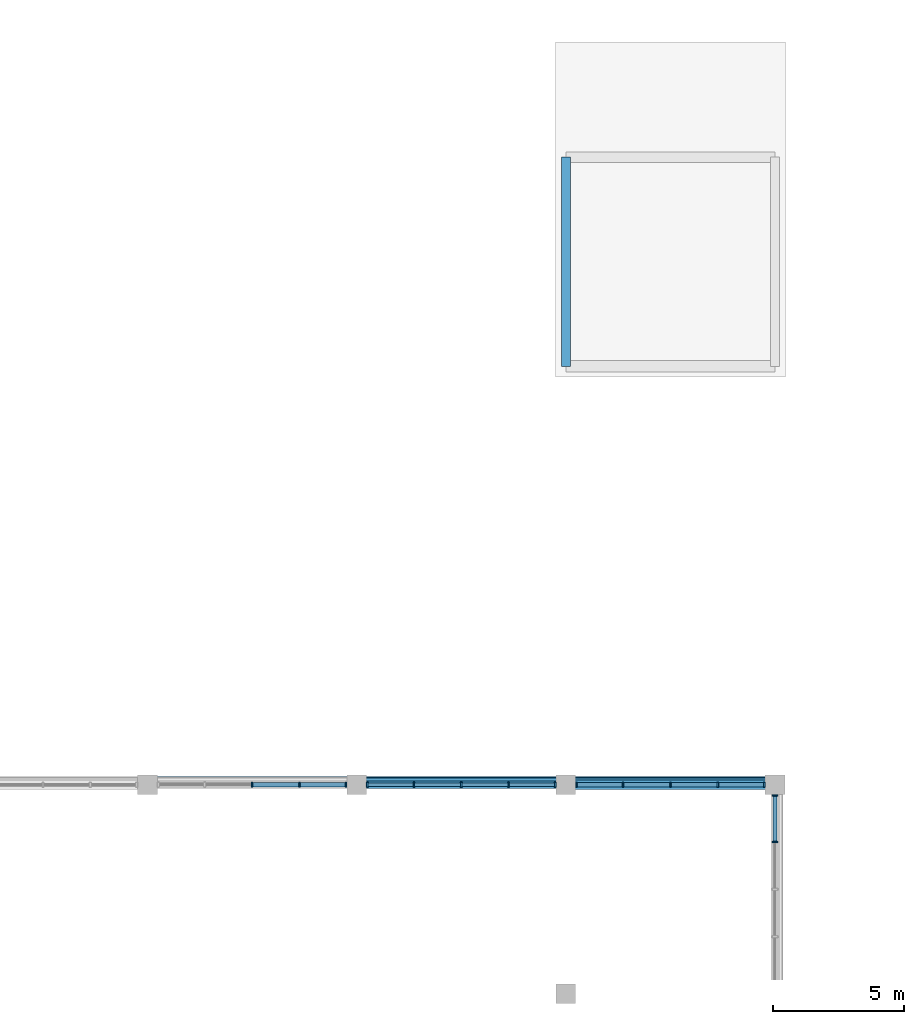
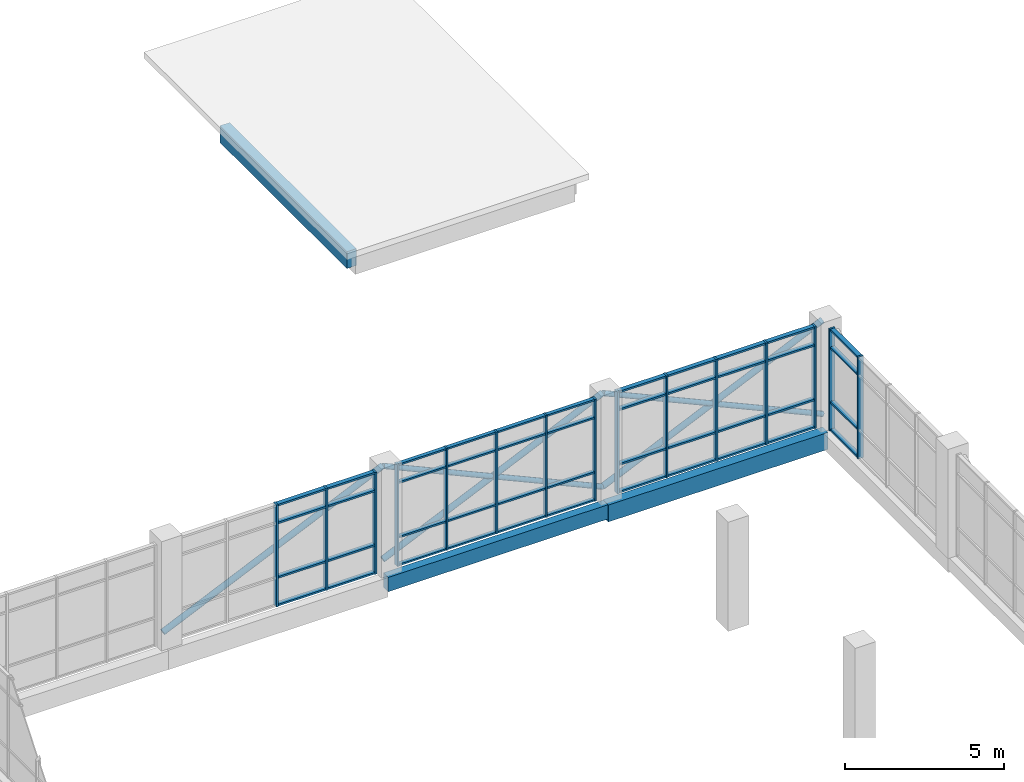
# One storey, part 37 of 72: 64 members, 3 beams, 4 elements without a shape of their own.
"""IFC4 building model written with IfcOpenShell, lengths in metres."""

from ifc_helpers import new_model, si_unit, direction, frame, origin, origin_2d, place, context, subcontext, project, spatial, rectangle, hollow_circle, extrude, material, material_profile, profile_set, type_object, element, aggregate, save


model = new_model("IFC4")

# Units and contexts
model_context = context("Model", 3, precision=1e-05, world=origin(), true_north=direction((0.0, 1.0)))
body_context = subcontext(model_context, "Body", "Model", "MODEL_VIEW")
ifc_project = project(units=[si_unit("LENGTHUNIT", "METRE"), si_unit("AREAUNIT", "SQUARE_METRE"), si_unit("VOLUMEUNIT", "CUBIC_METRE"), si_unit("PLANEANGLEUNIT", "RADIAN"), si_unit("MASSUNIT", "GRAM", prefix="KILO")], contexts=[model_context])

# Site, building, storey
site_placement = place(None, origin())
site = spatial("IfcSite", under=ifc_project, at=site_placement, CompositionType="ELEMENT")
building_placement = place(site_placement, origin())
building = spatial("IfcBuilding", under=site, at=building_placement, Name="Tenunan Teduh Sports Hall", CompositionType="ELEMENT")
storey_placement = place(building_placement, frame((0.0, 0.0, 15.0)))
storey = spatial("IfcBuildingStorey", under=building, at=storey_placement, Name="L03", CompositionType="ELEMENT", Elevation=15.0)

# Beams
ifc_material_1 = material(Name="Concrete C40/50", Category="concrete")
ifc_material_profile_1 = material_profile(ifc_material_1, rectangle(XDim=0.300048828125, YDim=0.550048828125, at=origin_2d()), Name="RCB 300x550")
ifc_profile_set_1 = profile_set([ifc_material_profile_1], Name="Concrete C40/50")
beam_type_1 = type_object("IfcBeamType", Name="BM-RC-300x550", PredefinedType="BEAM", material=ifc_profile_set_1)
beam_placement = place(storey_placement, frame((138.0, 78.0, -0.514892578125), z_axis=(1.0, 0.0, 0.0), x_axis=(0.0, 1.0, 0.0)))
element("IfcBeam", 1, at=beam_placement, inside=storey, type_object=beam_type_1, Name="BM-B-02-L03-1832", PredefinedType="BEAM", context=body_context, shape_type="SweptSolid", body=[
    extrude(rectangle(XDim=0.300048828125, YDim=0.550048828125, at=origin_2d()), origin(), (0.0, 0.0, 1.0), 8.0),
])
ifc_material_2 = material(Name="Concrete C40/50", Category="concrete")
ifc_material_profile_2 = material_profile(ifc_material_2, rectangle(XDim=0.35009765625, YDim=0.64990234375, at=origin_2d()), Name="RCB 350x650")
ifc_profile_set_2 = profile_set([ifc_material_profile_2], Name="Concrete C40/50")
beam_type_2 = type_object("IfcBeamType", Name="BM-RC-350x650", PredefinedType="BEAM", material=ifc_profile_set_2)
for number, where, z_axis, x_axis, name in (
    (2, (146.0, 78.0, -0.56494140625), (1.0, 0.0, 0.0), (0.0, 1.0, 0.0), "BM-B-05-L03-1833"),
    (3, (146.0, 94.0, -0.56494140625), (0.0, 1.0, 0.0), (-1.0, 0.0, 0.0), "BM-B-05-L03-1940"),
):
    element("IfcBeam", number, at=place(storey_placement, frame(where, z_axis=z_axis, x_axis=x_axis)), inside=storey, type_object=beam_type_2, Name=name, PredefinedType="BEAM", context=body_context, shape_type="SweptSolid", body=[
        extrude(rectangle(XDim=0.35009765625, YDim=0.64990234375, at=origin_2d()), origin(), (0.0, 0.0, 1.0), 8.0),
    ])

# Curtain wall, members
ifc_material_3 = material(Name="Anodised aluminium", Category="aluminium")
curtain_wall_type = type_object("IfcCurtainWallType", Name="CW-UNIT-2", PredefinedType="NOTDEFINED", material=ifc_material_3)
curtain_wall_1_placement = place(storey_placement, origin())
curtain_wall_1 = element("IfcCurtainWall", 4, at=curtain_wall_1_placement, inside=storey, type_object=curtain_wall_type, Name="CW-CWM-175-L03-142", PredefinedType="NOTDEFINED")
ifc_material_4 = material(Name="Anodised aluminium", Category="aluminium")
ifc_material_profile_3 = material_profile(ifc_material_4, rectangle(XDim=0.06494140625, YDim=0.175048828125, at=origin_2d()), Name="CWM 65x175")
ifc_profile_set_3 = profile_set([ifc_material_profile_3], Name="Anodised aluminium")
member_type_1 = type_object("IfcMemberType", Name="CWM-175", PredefinedType="MULLION", material=ifc_profile_set_3)
member_1_placement = place(storey_placement, frame((138.407470703125, 78.0, 0.0), z_axis=(0.0, 0.0, 1.0), x_axis=(1.0, 0.0, 0.0)))
member_1 = element("IfcMember", 5, at=member_1_placement, type_object=member_type_1, Name="CW-02 mullion 1", PredefinedType="MULLION", context=body_context, shape_type="SweptSolid", body=[
    extrude(rectangle(XDim=0.06494140625, YDim=0.175048828125, at=origin_2d()), origin(), (0.0, 0.0, 1.0), 3.919921875),
])
member_2_placement = place(storey_placement, frame((140.1875, 78.0, 0.0), z_axis=(0.0, 0.0, 1.0), x_axis=(1.0, 0.0, 0.0)))
member_2 = element("IfcMember", 6, at=member_2_placement, type_object=member_type_1, Name="CW-02 mullion 2", PredefinedType="MULLION", context=body_context, shape_type="SweptSolid", body=[
    extrude(rectangle(XDim=0.06494140625, YDim=0.175048828125, at=origin_2d()), origin(), (0.0, 0.0, 1.0), 3.919921875),
])
member_3_placement = place(storey_placement, frame((142.0, 78.0, 0.0), z_axis=(0.0, 0.0, 1.0), x_axis=(1.0, 0.0, 0.0)))
member_3 = element("IfcMember", 7, at=member_3_placement, type_object=member_type_1, Name="CW-02 mullion 3", PredefinedType="MULLION", context=body_context, shape_type="SweptSolid", body=[
    extrude(rectangle(XDim=0.06494140625, YDim=0.175048828125, at=origin_2d()), origin(), (0.0, 0.0, 1.0), 3.919921875),
])
member_4_placement = place(storey_placement, frame((143.8125, 78.0, 0.0), z_axis=(0.0, 0.0, 1.0), x_axis=(1.0, 0.0, 0.0)))
member_4 = element("IfcMember", 8, at=member_4_placement, type_object=member_type_1, Name="CW-02 mullion 4", PredefinedType="MULLION", context=body_context, shape_type="SweptSolid", body=[
    extrude(rectangle(XDim=0.06494140625, YDim=0.175048828125, at=origin_2d()), origin(), (0.0, 0.0, 1.0), 3.919921875),
])
member_5_placement = place(storey_placement, frame((145.592529296875, 78.0, 0.0), z_axis=(0.0, 0.0, 1.0), x_axis=(1.0, 0.0, 0.0)))
member_5 = element("IfcMember", 9, at=member_5_placement, type_object=member_type_1, Name="CW-02 mullion 5", PredefinedType="MULLION", context=body_context, shape_type="SweptSolid", body=[
    extrude(rectangle(XDim=0.06494140625, YDim=0.175048828125, at=origin_2d()), origin(), (0.0, 0.0, 1.0), 3.919921875),
])

curtain_wall_2_placement = place(storey_placement, origin())
curtain_wall_2 = element("IfcCurtainWall", 10, at=curtain_wall_2_placement, inside=storey, type_object=curtain_wall_type, Name="CW-CWM-200-L03-140", PredefinedType="NOTDEFINED")
ifc_material_5 = material(Name="Anodised aluminium", Category="aluminium")
ifc_material_profile_4 = material_profile(ifc_material_5, rectangle(XDim=0.070068359375, YDim=0.199951171875, at=origin_2d()), Name="CWM 70x200")
ifc_profile_set_4 = profile_set([ifc_material_profile_4], Name="Anodised aluminium")
member_type_2 = type_object("IfcMemberType", Name="CWM-200", PredefinedType="MULLION", material=ifc_profile_set_4)
member_6_placement = place(storey_placement, frame((134.0, 78.0, 0.0), z_axis=(0.0, 0.0, 1.0), x_axis=(1.0, 0.0, 0.0)))
member_6 = element("IfcMember", 11, at=member_6_placement, type_object=member_type_2, Name="CW-02 mullion 3", PredefinedType="MULLION", context=body_context, shape_type="SweptSolid", body=[
    extrude(rectangle(XDim=0.070068359375, YDim=0.199951171875, at=origin_2d()), origin(), (0.0, 0.0, 1.0), 3.919921875),
])
member_7_placement = place(storey_placement, frame((135.8125, 78.0, 0.0), z_axis=(0.0, 0.0, 1.0), x_axis=(1.0, 0.0, 0.0)))
member_7 = element("IfcMember", 12, at=member_7_placement, type_object=member_type_2, Name="CW-02 mullion 4", PredefinedType="MULLION", context=body_context, shape_type="SweptSolid", body=[
    extrude(rectangle(XDim=0.070068359375, YDim=0.199951171875, at=origin_2d()), origin(), (0.0, 0.0, 1.0), 3.919921875),
])
member_8_placement = place(storey_placement, frame((137.590087890625, 78.0, 0.0), z_axis=(0.0, 0.0, 1.0), x_axis=(1.0, 0.0, 0.0)))
member_8 = element("IfcMember", 13, at=member_8_placement, type_object=member_type_2, Name="CW-02 mullion 5", PredefinedType="MULLION", context=body_context, shape_type="SweptSolid", body=[
    extrude(rectangle(XDim=0.070068359375, YDim=0.199951171875, at=origin_2d()), origin(), (0.0, 0.0, 1.0), 3.919921875),
])

curtain_wall_3_placement = place(storey_placement, origin())
curtain_wall_3 = element("IfcCurtainWall", 14, at=curtain_wall_3_placement, inside=storey, type_object=curtain_wall_type, Name="CW-CWM-200-L03-144", PredefinedType="NOTDEFINED")
member_9_placement = place(storey_placement, frame((146.409912109375, 78.0, 0.0), z_axis=(0.0, 0.0, 1.0), x_axis=(1.0, 0.0, 0.0)))
member_9 = element("IfcMember", 15, at=member_9_placement, type_object=member_type_2, Name="CW-02 mullion 1", PredefinedType="MULLION", context=body_context, shape_type="SweptSolid", body=[
    extrude(rectangle(XDim=0.070068359375, YDim=0.199951171875, at=origin_2d()), origin(), (0.0, 0.0, 1.0), 3.919921875),
])
member_10_placement = place(storey_placement, frame((148.1875, 78.0, 0.0), z_axis=(0.0, 0.0, 1.0), x_axis=(1.0, 0.0, 0.0)))
member_10 = element("IfcMember", 16, at=member_10_placement, type_object=member_type_2, Name="CW-02 mullion 2", PredefinedType="MULLION", context=body_context, shape_type="SweptSolid", body=[
    extrude(rectangle(XDim=0.070068359375, YDim=0.199951171875, at=origin_2d()), origin(), (0.0, 0.0, 1.0), 3.919921875),
])
member_11_placement = place(storey_placement, frame((150.0, 78.0, 0.0), z_axis=(0.0, 0.0, 1.0), x_axis=(1.0, 0.0, 0.0)))
member_11 = element("IfcMember", 17, at=member_11_placement, type_object=member_type_2, Name="CW-02 mullion 3", PredefinedType="MULLION", context=body_context, shape_type="SweptSolid", body=[
    extrude(rectangle(XDim=0.070068359375, YDim=0.199951171875, at=origin_2d()), origin(), (0.0, 0.0, 1.0), 3.919921875),
])
member_12_placement = place(storey_placement, frame((151.8125, 78.0, 0.0), z_axis=(0.0, 0.0, 1.0), x_axis=(1.0, 0.0, 0.0)))
member_12 = element("IfcMember", 18, at=member_12_placement, type_object=member_type_2, Name="CW-02 mullion 4", PredefinedType="MULLION", context=body_context, shape_type="SweptSolid", body=[
    extrude(rectangle(XDim=0.070068359375, YDim=0.199951171875, at=origin_2d()), origin(), (0.0, 0.0, 1.0), 3.919921875),
])
member_13_placement = place(storey_placement, frame((153.590087890625, 78.0, 0.0), z_axis=(0.0, 0.0, 1.0), x_axis=(1.0, 0.0, 0.0)))
member_13 = element("IfcMember", 19, at=member_13_placement, type_object=member_type_2, Name="CW-02 mullion 5", PredefinedType="MULLION", context=body_context, shape_type="SweptSolid", body=[
    extrude(rectangle(XDim=0.070068359375, YDim=0.199951171875, at=origin_2d()), origin(), (0.0, 0.0, 1.0), 3.919921875),
])

curtain_wall_4_placement = place(storey_placement, origin())
curtain_wall_4 = element("IfcCurtainWall", 20, at=curtain_wall_4_placement, inside=storey, type_object=curtain_wall_type, Name="CW-CWM-200-L03-152", PredefinedType="NOTDEFINED")
member_14_placement = place(storey_placement, frame((154.0, 75.8125, 0.0), z_axis=(0.0, 0.0, 1.0), x_axis=(0.0, 1.0, 0.0)))
member_14 = element("IfcMember", 21, at=member_14_placement, type_object=member_type_2, Name="CW-02 mullion 4", PredefinedType="MULLION", context=body_context, shape_type="SweptSolid", body=[
    extrude(rectangle(XDim=0.070068359375, YDim=0.199951171875, at=origin_2d()), origin(), (0.0, 0.0, 1.0), 3.919921875),
])
member_15_placement = place(storey_placement, frame((154.0, 77.590087890625, 0.0), z_axis=(0.0, 0.0, 1.0), x_axis=(0.0, 1.0, 0.0)))
member_15 = element("IfcMember", 22, at=member_15_placement, type_object=member_type_2, Name="CW-02 mullion 5", PredefinedType="MULLION", context=body_context, shape_type="SweptSolid", body=[
    extrude(rectangle(XDim=0.070068359375, YDim=0.199951171875, at=origin_2d()), origin(), (0.0, 0.0, 1.0), 3.919921875),
])

# Member
ifc_material_6 = material(Name="Anodised aluminium", Category="aluminium")
ifc_material_profile_5 = material_profile(ifc_material_6, rectangle(XDim=0.06494140625, YDim=0.139892578125, at=origin_2d()), Name="CWT 65x140")
ifc_profile_set_5 = profile_set([ifc_material_profile_5], Name="Anodised aluminium")
member_type_3 = type_object("IfcMemberType", Name="CWT-150", PredefinedType="USERDEFINED", material=ifc_profile_set_5)
member_16_placement = place(storey_placement, frame((138.43994140625, 78.0, 0.032470703125), z_axis=(1.0, 0.0, 0.0), x_axis=(0.0, 0.0, 1.0)))
member_16 = element("IfcMember", 23, at=member_16_placement, type_object=member_type_3, Name="CW-02 transom 1.1", ObjectType="TRANSOM", PredefinedType="USERDEFINED", context=body_context, shape_type="SweptSolid", body=[
    extrude(rectangle(XDim=0.06494140625, YDim=0.139892578125, at=origin_2d()), origin(), (0.0, 0.0, 1.0), 1.715087890625),
])

member_17_placement = place(storey_placement, frame((138.43994140625, 78.0, 1.10009765625), z_axis=(1.0, 0.0, 0.0), x_axis=(0.0, 0.0, 1.0)))
member_17 = element("IfcMember", 24, at=member_17_placement, type_object=member_type_3, Name="CW-02 transom 1.2", ObjectType="TRANSOM", PredefinedType="USERDEFINED", context=body_context, shape_type="SweptSolid", body=[
    extrude(rectangle(XDim=0.06494140625, YDim=0.139892578125, at=origin_2d()), origin(), (0.0, 0.0, 1.0), 1.715087890625),
])

member_18_placement = place(storey_placement, frame((138.43994140625, 78.0, 3.199951171875), z_axis=(1.0, 0.0, 0.0), x_axis=(0.0, 0.0, 1.0)))
member_18 = element("IfcMember", 25, at=member_18_placement, type_object=member_type_3, Name="CW-02 transom 1.3", ObjectType="TRANSOM", PredefinedType="USERDEFINED", context=body_context, shape_type="SweptSolid", body=[
    extrude(rectangle(XDim=0.06494140625, YDim=0.139892578125, at=origin_2d()), origin(), (0.0, 0.0, 1.0), 1.715087890625),
])

member_19_placement = place(storey_placement, frame((138.43994140625, 78.0, 3.887451171875), z_axis=(1.0, 0.0, 0.0), x_axis=(0.0, 0.0, 1.0)))
member_19 = element("IfcMember", 26, at=member_19_placement, type_object=member_type_3, Name="CW-02 transom 1.4", ObjectType="TRANSOM", PredefinedType="USERDEFINED", context=body_context, shape_type="SweptSolid", body=[
    extrude(rectangle(XDim=0.06494140625, YDim=0.139892578125, at=origin_2d()), origin(), (0.0, 0.0, 1.0), 1.715087890625),
])

member_20_placement = place(storey_placement, frame((140.219970703125, 78.0, 0.032470703125), z_axis=(1.0, 0.0, 0.0), x_axis=(0.0, 0.0, 1.0)))
member_20 = element("IfcMember", 27, at=member_20_placement, type_object=member_type_3, Name="CW-02 transom 2.1", ObjectType="TRANSOM", PredefinedType="USERDEFINED", context=body_context, shape_type="SweptSolid", body=[
    extrude(rectangle(XDim=0.06494140625, YDim=0.139892578125, at=origin_2d()), origin(), (0.0, 0.0, 1.0), 1.74755859375),
])

member_21_placement = place(storey_placement, frame((140.219970703125, 78.0, 1.10009765625), z_axis=(1.0, 0.0, 0.0), x_axis=(0.0, 0.0, 1.0)))
member_21 = element("IfcMember", 28, at=member_21_placement, type_object=member_type_3, Name="CW-02 transom 2.2", ObjectType="TRANSOM", PredefinedType="USERDEFINED", context=body_context, shape_type="SweptSolid", body=[
    extrude(rectangle(XDim=0.06494140625, YDim=0.139892578125, at=origin_2d()), origin(), (0.0, 0.0, 1.0), 1.74755859375),
])

member_22_placement = place(storey_placement, frame((140.219970703125, 78.0, 3.199951171875), z_axis=(1.0, 0.0, 0.0), x_axis=(0.0, 0.0, 1.0)))
member_22 = element("IfcMember", 29, at=member_22_placement, type_object=member_type_3, Name="CW-02 transom 2.3", ObjectType="TRANSOM", PredefinedType="USERDEFINED", context=body_context, shape_type="SweptSolid", body=[
    extrude(rectangle(XDim=0.06494140625, YDim=0.139892578125, at=origin_2d()), origin(), (0.0, 0.0, 1.0), 1.74755859375),
])

member_23_placement = place(storey_placement, frame((140.219970703125, 78.0, 3.887451171875), z_axis=(1.0, 0.0, 0.0), x_axis=(0.0, 0.0, 1.0)))
member_23 = element("IfcMember", 30, at=member_23_placement, type_object=member_type_3, Name="CW-02 transom 2.4", ObjectType="TRANSOM", PredefinedType="USERDEFINED", context=body_context, shape_type="SweptSolid", body=[
    extrude(rectangle(XDim=0.06494140625, YDim=0.139892578125, at=origin_2d()), origin(), (0.0, 0.0, 1.0), 1.74755859375),
])

member_24_placement = place(storey_placement, frame((142.032470703125, 78.0, 0.032470703125), z_axis=(1.0, 0.0, 0.0), x_axis=(0.0, 0.0, 1.0)))
member_24 = element("IfcMember", 31, at=member_24_placement, type_object=member_type_3, Name="CW-02 transom 3.1", ObjectType="TRANSOM", PredefinedType="USERDEFINED", context=body_context, shape_type="SweptSolid", body=[
    extrude(rectangle(XDim=0.06494140625, YDim=0.139892578125, at=origin_2d()), origin(), (0.0, 0.0, 1.0), 1.74755859375),
])

member_25_placement = place(storey_placement, frame((142.032470703125, 78.0, 1.10009765625), z_axis=(1.0, 0.0, 0.0), x_axis=(0.0, 0.0, 1.0)))
member_25 = element("IfcMember", 32, at=member_25_placement, type_object=member_type_3, Name="CW-02 transom 3.2", ObjectType="TRANSOM", PredefinedType="USERDEFINED", context=body_context, shape_type="SweptSolid", body=[
    extrude(rectangle(XDim=0.06494140625, YDim=0.139892578125, at=origin_2d()), origin(), (0.0, 0.0, 1.0), 1.74755859375),
])

member_26_placement = place(storey_placement, frame((142.032470703125, 78.0, 3.199951171875), z_axis=(1.0, 0.0, 0.0), x_axis=(0.0, 0.0, 1.0)))
member_26 = element("IfcMember", 33, at=member_26_placement, type_object=member_type_3, Name="CW-02 transom 3.3", ObjectType="TRANSOM", PredefinedType="USERDEFINED", context=body_context, shape_type="SweptSolid", body=[
    extrude(rectangle(XDim=0.06494140625, YDim=0.139892578125, at=origin_2d()), origin(), (0.0, 0.0, 1.0), 1.74755859375),
])

member_27_placement = place(storey_placement, frame((142.032470703125, 78.0, 3.887451171875), z_axis=(1.0, 0.0, 0.0), x_axis=(0.0, 0.0, 1.0)))
member_27 = element("IfcMember", 34, at=member_27_placement, type_object=member_type_3, Name="CW-02 transom 3.4", ObjectType="TRANSOM", PredefinedType="USERDEFINED", context=body_context, shape_type="SweptSolid", body=[
    extrude(rectangle(XDim=0.06494140625, YDim=0.139892578125, at=origin_2d()), origin(), (0.0, 0.0, 1.0), 1.74755859375),
])

member_28_placement = place(storey_placement, frame((143.844970703125, 78.0, 0.032470703125), z_axis=(1.0, 0.0, 0.0), x_axis=(0.0, 0.0, 1.0)))
member_28 = element("IfcMember", 35, at=member_28_placement, type_object=member_type_3, Name="CW-02 transom 4.1", ObjectType="TRANSOM", PredefinedType="USERDEFINED", context=body_context, shape_type="SweptSolid", body=[
    extrude(rectangle(XDim=0.06494140625, YDim=0.139892578125, at=origin_2d()), origin(), (0.0, 0.0, 1.0), 1.715087890625),
])

member_29_placement = place(storey_placement, frame((143.844970703125, 78.0, 1.10009765625), z_axis=(1.0, 0.0, 0.0), x_axis=(0.0, 0.0, 1.0)))
member_29 = element("IfcMember", 36, at=member_29_placement, type_object=member_type_3, Name="CW-02 transom 4.2", ObjectType="TRANSOM", PredefinedType="USERDEFINED", context=body_context, shape_type="SweptSolid", body=[
    extrude(rectangle(XDim=0.06494140625, YDim=0.139892578125, at=origin_2d()), origin(), (0.0, 0.0, 1.0), 1.715087890625),
])

member_30_placement = place(storey_placement, frame((143.844970703125, 78.0, 3.199951171875), z_axis=(1.0, 0.0, 0.0), x_axis=(0.0, 0.0, 1.0)))
member_30 = element("IfcMember", 37, at=member_30_placement, type_object=member_type_3, Name="CW-02 transom 4.3", ObjectType="TRANSOM", PredefinedType="USERDEFINED", context=body_context, shape_type="SweptSolid", body=[
    extrude(rectangle(XDim=0.06494140625, YDim=0.139892578125, at=origin_2d()), origin(), (0.0, 0.0, 1.0), 1.715087890625),
])

member_31_placement = place(storey_placement, frame((143.844970703125, 78.0, 3.887451171875), z_axis=(1.0, 0.0, 0.0), x_axis=(0.0, 0.0, 1.0)))
member_31 = element("IfcMember", 38, at=member_31_placement, type_object=member_type_3, Name="CW-02 transom 4.4", ObjectType="TRANSOM", PredefinedType="USERDEFINED", context=body_context, shape_type="SweptSolid", body=[
    extrude(rectangle(XDim=0.06494140625, YDim=0.139892578125, at=origin_2d()), origin(), (0.0, 0.0, 1.0), 1.715087890625),
])

aggregate(curtain_wall_1, [member_1, member_2, member_3, member_4, member_5, member_16, member_17, member_18, member_19, member_20, member_21, member_22, member_23, member_24, member_25, member_26, member_27, member_28, member_29, member_30, member_31])

ifc_material_7 = material(Name="Anodised aluminium", Category="aluminium")
ifc_material_profile_6 = material_profile(ifc_material_7, rectangle(XDim=0.070068359375, YDim=0.159912109375, at=origin_2d()), Name="CWT 70x160")
ifc_profile_set_6 = profile_set([ifc_material_profile_6], Name="Anodised aluminium")
member_type_4 = type_object("IfcMemberType", Name="CWT-200", PredefinedType="USERDEFINED", material=ifc_profile_set_6)
member_32_placement = place(storey_placement, frame((134.034912109375, 78.0, 0.034912109375), z_axis=(1.0, 0.0, 0.0), x_axis=(0.0, 0.0, 1.0)))
member_32 = element("IfcMember", 39, at=member_32_placement, type_object=member_type_4, Name="CW-02 transom 3.1", ObjectType="TRANSOM", PredefinedType="USERDEFINED", context=body_context, shape_type="SweptSolid", body=[
    extrude(rectangle(XDim=0.070068359375, YDim=0.159912109375, at=origin_2d()), origin(), (0.0, 0.0, 1.0), 1.74267578125),
])

member_33_placement = place(storey_placement, frame((134.034912109375, 78.0, 1.10009765625), z_axis=(1.0, 0.0, 0.0), x_axis=(0.0, 0.0, 1.0)))
member_33 = element("IfcMember", 40, at=member_33_placement, type_object=member_type_4, Name="CW-02 transom 3.2", ObjectType="TRANSOM", PredefinedType="USERDEFINED", context=body_context, shape_type="SweptSolid", body=[
    extrude(rectangle(XDim=0.070068359375, YDim=0.159912109375, at=origin_2d()), origin(), (0.0, 0.0, 1.0), 1.74267578125),
])

member_34_placement = place(storey_placement, frame((134.034912109375, 78.0, 3.199951171875), z_axis=(1.0, 0.0, 0.0), x_axis=(0.0, 0.0, 1.0)))
member_34 = element("IfcMember", 41, at=member_34_placement, type_object=member_type_4, Name="CW-02 transom 3.3", ObjectType="TRANSOM", PredefinedType="USERDEFINED", context=body_context, shape_type="SweptSolid", body=[
    extrude(rectangle(XDim=0.070068359375, YDim=0.159912109375, at=origin_2d()), origin(), (0.0, 0.0, 1.0), 1.74267578125),
])

member_35_placement = place(storey_placement, frame((134.034912109375, 78.0, 3.885009765625), z_axis=(1.0, 0.0, 0.0), x_axis=(0.0, 0.0, 1.0)))
member_35 = element("IfcMember", 42, at=member_35_placement, type_object=member_type_4, Name="CW-02 transom 3.4", ObjectType="TRANSOM", PredefinedType="USERDEFINED", context=body_context, shape_type="SweptSolid", body=[
    extrude(rectangle(XDim=0.070068359375, YDim=0.159912109375, at=origin_2d()), origin(), (0.0, 0.0, 1.0), 1.74267578125),
])

member_36_placement = place(storey_placement, frame((135.847412109375, 78.0, 0.034912109375), z_axis=(1.0, 0.0, 0.0), x_axis=(0.0, 0.0, 1.0)))
member_36 = element("IfcMember", 43, at=member_36_placement, type_object=member_type_4, Name="CW-02 transom 4.1", ObjectType="TRANSOM", PredefinedType="USERDEFINED", context=body_context, shape_type="SweptSolid", body=[
    extrude(rectangle(XDim=0.070068359375, YDim=0.159912109375, at=origin_2d()), origin(), (0.0, 0.0, 1.0), 1.70751953125),
])

member_37_placement = place(storey_placement, frame((135.847412109375, 78.0, 1.10009765625), z_axis=(1.0, 0.0, 0.0), x_axis=(0.0, 0.0, 1.0)))
member_37 = element("IfcMember", 44, at=member_37_placement, type_object=member_type_4, Name="CW-02 transom 4.2", ObjectType="TRANSOM", PredefinedType="USERDEFINED", context=body_context, shape_type="SweptSolid", body=[
    extrude(rectangle(XDim=0.070068359375, YDim=0.159912109375, at=origin_2d()), origin(), (0.0, 0.0, 1.0), 1.70751953125),
])

member_38_placement = place(storey_placement, frame((135.847412109375, 78.0, 3.199951171875), z_axis=(1.0, 0.0, 0.0), x_axis=(0.0, 0.0, 1.0)))
member_38 = element("IfcMember", 45, at=member_38_placement, type_object=member_type_4, Name="CW-02 transom 4.3", ObjectType="TRANSOM", PredefinedType="USERDEFINED", context=body_context, shape_type="SweptSolid", body=[
    extrude(rectangle(XDim=0.070068359375, YDim=0.159912109375, at=origin_2d()), origin(), (0.0, 0.0, 1.0), 1.70751953125),
])

member_39_placement = place(storey_placement, frame((135.847412109375, 78.0, 3.885009765625), z_axis=(1.0, 0.0, 0.0), x_axis=(0.0, 0.0, 1.0)))
member_39 = element("IfcMember", 46, at=member_39_placement, type_object=member_type_4, Name="CW-02 transom 4.4", ObjectType="TRANSOM", PredefinedType="USERDEFINED", context=body_context, shape_type="SweptSolid", body=[
    extrude(rectangle(XDim=0.070068359375, YDim=0.159912109375, at=origin_2d()), origin(), (0.0, 0.0, 1.0), 1.70751953125),
])

aggregate(curtain_wall_2, [member_6, member_7, member_8, member_32, member_33, member_34, member_35, member_36, member_37, member_38, member_39])

member_40_placement = place(storey_placement, frame((146.445068359375, 78.0, 0.034912109375), z_axis=(1.0, 0.0, 0.0), x_axis=(0.0, 0.0, 1.0)))
member_40 = element("IfcMember", 47, at=member_40_placement, type_object=member_type_4, Name="CW-02 transom 1.1", ObjectType="TRANSOM", PredefinedType="USERDEFINED", context=body_context, shape_type="SweptSolid", body=[
    extrude(rectangle(XDim=0.070068359375, YDim=0.159912109375, at=origin_2d()), origin(), (0.0, 0.0, 1.0), 1.70751953125),
])

member_41_placement = place(storey_placement, frame((146.445068359375, 78.0, 1.10009765625), z_axis=(1.0, 0.0, 0.0), x_axis=(0.0, 0.0, 1.0)))
member_41 = element("IfcMember", 48, at=member_41_placement, type_object=member_type_4, Name="CW-02 transom 1.2", ObjectType="TRANSOM", PredefinedType="USERDEFINED", context=body_context, shape_type="SweptSolid", body=[
    extrude(rectangle(XDim=0.070068359375, YDim=0.159912109375, at=origin_2d()), origin(), (0.0, 0.0, 1.0), 1.70751953125),
])

member_42_placement = place(storey_placement, frame((146.445068359375, 78.0, 3.199951171875), z_axis=(1.0, 0.0, 0.0), x_axis=(0.0, 0.0, 1.0)))
member_42 = element("IfcMember", 49, at=member_42_placement, type_object=member_type_4, Name="CW-02 transom 1.3", ObjectType="TRANSOM", PredefinedType="USERDEFINED", context=body_context, shape_type="SweptSolid", body=[
    extrude(rectangle(XDim=0.070068359375, YDim=0.159912109375, at=origin_2d()), origin(), (0.0, 0.0, 1.0), 1.70751953125),
])

member_43_placement = place(storey_placement, frame((146.445068359375, 78.0, 3.885009765625), z_axis=(1.0, 0.0, 0.0), x_axis=(0.0, 0.0, 1.0)))
member_43 = element("IfcMember", 50, at=member_43_placement, type_object=member_type_4, Name="CW-02 transom 1.4", ObjectType="TRANSOM", PredefinedType="USERDEFINED", context=body_context, shape_type="SweptSolid", body=[
    extrude(rectangle(XDim=0.070068359375, YDim=0.159912109375, at=origin_2d()), origin(), (0.0, 0.0, 1.0), 1.70751953125),
])

member_44_placement = place(storey_placement, frame((148.222412109375, 78.0, 0.034912109375), z_axis=(1.0, 0.0, 0.0), x_axis=(0.0, 0.0, 1.0)))
member_44 = element("IfcMember", 51, at=member_44_placement, type_object=member_type_4, Name="CW-02 transom 2.1", ObjectType="TRANSOM", PredefinedType="USERDEFINED", context=body_context, shape_type="SweptSolid", body=[
    extrude(rectangle(XDim=0.070068359375, YDim=0.159912109375, at=origin_2d()), origin(), (0.0, 0.0, 1.0), 1.74267578125),
])

member_45_placement = place(storey_placement, frame((148.222412109375, 78.0, 1.10009765625), z_axis=(1.0, 0.0, 0.0), x_axis=(0.0, 0.0, 1.0)))
member_45 = element("IfcMember", 52, at=member_45_placement, type_object=member_type_4, Name="CW-02 transom 2.2", ObjectType="TRANSOM", PredefinedType="USERDEFINED", context=body_context, shape_type="SweptSolid", body=[
    extrude(rectangle(XDim=0.070068359375, YDim=0.159912109375, at=origin_2d()), origin(), (0.0, 0.0, 1.0), 1.74267578125),
])

member_46_placement = place(storey_placement, frame((148.222412109375, 78.0, 3.199951171875), z_axis=(1.0, 0.0, 0.0), x_axis=(0.0, 0.0, 1.0)))
member_46 = element("IfcMember", 53, at=member_46_placement, type_object=member_type_4, Name="CW-02 transom 2.3", ObjectType="TRANSOM", PredefinedType="USERDEFINED", context=body_context, shape_type="SweptSolid", body=[
    extrude(rectangle(XDim=0.070068359375, YDim=0.159912109375, at=origin_2d()), origin(), (0.0, 0.0, 1.0), 1.74267578125),
])

member_47_placement = place(storey_placement, frame((148.222412109375, 78.0, 3.885009765625), z_axis=(1.0, 0.0, 0.0), x_axis=(0.0, 0.0, 1.0)))
member_47 = element("IfcMember", 54, at=member_47_placement, type_object=member_type_4, Name="CW-02 transom 2.4", ObjectType="TRANSOM", PredefinedType="USERDEFINED", context=body_context, shape_type="SweptSolid", body=[
    extrude(rectangle(XDim=0.070068359375, YDim=0.159912109375, at=origin_2d()), origin(), (0.0, 0.0, 1.0), 1.74267578125),
])

member_48_placement = place(storey_placement, frame((150.034912109375, 78.0, 0.034912109375), z_axis=(1.0, 0.0, 0.0), x_axis=(0.0, 0.0, 1.0)))
member_48 = element("IfcMember", 55, at=member_48_placement, type_object=member_type_4, Name="CW-02 transom 3.1", ObjectType="TRANSOM", PredefinedType="USERDEFINED", context=body_context, shape_type="SweptSolid", body=[
    extrude(rectangle(XDim=0.070068359375, YDim=0.159912109375, at=origin_2d()), origin(), (0.0, 0.0, 1.0), 1.74267578125),
])

member_49_placement = place(storey_placement, frame((150.034912109375, 78.0, 1.10009765625), z_axis=(1.0, 0.0, 0.0), x_axis=(0.0, 0.0, 1.0)))
member_49 = element("IfcMember", 56, at=member_49_placement, type_object=member_type_4, Name="CW-02 transom 3.2", ObjectType="TRANSOM", PredefinedType="USERDEFINED", context=body_context, shape_type="SweptSolid", body=[
    extrude(rectangle(XDim=0.070068359375, YDim=0.159912109375, at=origin_2d()), origin(), (0.0, 0.0, 1.0), 1.74267578125),
])

member_50_placement = place(storey_placement, frame((150.034912109375, 78.0, 3.199951171875), z_axis=(1.0, 0.0, 0.0), x_axis=(0.0, 0.0, 1.0)))
member_50 = element("IfcMember", 57, at=member_50_placement, type_object=member_type_4, Name="CW-02 transom 3.3", ObjectType="TRANSOM", PredefinedType="USERDEFINED", context=body_context, shape_type="SweptSolid", body=[
    extrude(rectangle(XDim=0.070068359375, YDim=0.159912109375, at=origin_2d()), origin(), (0.0, 0.0, 1.0), 1.74267578125),
])

member_51_placement = place(storey_placement, frame((150.034912109375, 78.0, 3.885009765625), z_axis=(1.0, 0.0, 0.0), x_axis=(0.0, 0.0, 1.0)))
member_51 = element("IfcMember", 58, at=member_51_placement, type_object=member_type_4, Name="CW-02 transom 3.4", ObjectType="TRANSOM", PredefinedType="USERDEFINED", context=body_context, shape_type="SweptSolid", body=[
    extrude(rectangle(XDim=0.070068359375, YDim=0.159912109375, at=origin_2d()), origin(), (0.0, 0.0, 1.0), 1.74267578125),
])

member_52_placement = place(storey_placement, frame((151.847412109375, 78.0, 0.034912109375), z_axis=(1.0, 0.0, 0.0), x_axis=(0.0, 0.0, 1.0)))
member_52 = element("IfcMember", 59, at=member_52_placement, type_object=member_type_4, Name="CW-02 transom 4.1", ObjectType="TRANSOM", PredefinedType="USERDEFINED", context=body_context, shape_type="SweptSolid", body=[
    extrude(rectangle(XDim=0.070068359375, YDim=0.159912109375, at=origin_2d()), origin(), (0.0, 0.0, 1.0), 1.70751953125),
])

member_53_placement = place(storey_placement, frame((151.847412109375, 78.0, 1.10009765625), z_axis=(1.0, 0.0, 0.0), x_axis=(0.0, 0.0, 1.0)))
member_53 = element("IfcMember", 60, at=member_53_placement, type_object=member_type_4, Name="CW-02 transom 4.2", ObjectType="TRANSOM", PredefinedType="USERDEFINED", context=body_context, shape_type="SweptSolid", body=[
    extrude(rectangle(XDim=0.070068359375, YDim=0.159912109375, at=origin_2d()), origin(), (0.0, 0.0, 1.0), 1.70751953125),
])

member_54_placement = place(storey_placement, frame((151.847412109375, 78.0, 3.199951171875), z_axis=(1.0, 0.0, 0.0), x_axis=(0.0, 0.0, 1.0)))
member_54 = element("IfcMember", 61, at=member_54_placement, type_object=member_type_4, Name="CW-02 transom 4.3", ObjectType="TRANSOM", PredefinedType="USERDEFINED", context=body_context, shape_type="SweptSolid", body=[
    extrude(rectangle(XDim=0.070068359375, YDim=0.159912109375, at=origin_2d()), origin(), (0.0, 0.0, 1.0), 1.70751953125),
])

member_55_placement = place(storey_placement, frame((151.847412109375, 78.0, 3.885009765625), z_axis=(1.0, 0.0, 0.0), x_axis=(0.0, 0.0, 1.0)))
member_55 = element("IfcMember", 62, at=member_55_placement, type_object=member_type_4, Name="CW-02 transom 4.4", ObjectType="TRANSOM", PredefinedType="USERDEFINED", context=body_context, shape_type="SweptSolid", body=[
    extrude(rectangle(XDim=0.070068359375, YDim=0.159912109375, at=origin_2d()), origin(), (0.0, 0.0, 1.0), 1.70751953125),
])

aggregate(curtain_wall_3, [member_9, member_10, member_11, member_12, member_13, member_40, member_41, member_42, member_43, member_44, member_45, member_46, member_47, member_48, member_49, member_50, member_51, member_52, member_53, member_54, member_55])

member_56_placement = place(storey_placement, frame((154.0, 75.847412109375, 0.034912109375), z_axis=(0.0, 1.0, 0.0), x_axis=(0.0, 0.0, 1.0)))
member_56 = element("IfcMember", 63, at=member_56_placement, type_object=member_type_4, Name="CW-02 transom 4.1", ObjectType="TRANSOM", PredefinedType="USERDEFINED", context=body_context, shape_type="SweptSolid", body=[
    extrude(rectangle(XDim=0.070068359375, YDim=0.159912109375, at=origin_2d()), origin(), (0.0, 0.0, 1.0), 1.70751953125),
])

member_57_placement = place(storey_placement, frame((154.0, 75.847412109375, 1.10009765625), z_axis=(0.0, 1.0, 0.0), x_axis=(0.0, 0.0, 1.0)))
member_57 = element("IfcMember", 64, at=member_57_placement, type_object=member_type_4, Name="CW-02 transom 4.2", ObjectType="TRANSOM", PredefinedType="USERDEFINED", context=body_context, shape_type="SweptSolid", body=[
    extrude(rectangle(XDim=0.070068359375, YDim=0.159912109375, at=origin_2d()), origin(), (0.0, 0.0, 1.0), 1.70751953125),
])

member_58_placement = place(storey_placement, frame((154.0, 75.847412109375, 3.199951171875), z_axis=(0.0, 1.0, 0.0), x_axis=(0.0, 0.0, 1.0)))
member_58 = element("IfcMember", 65, at=member_58_placement, type_object=member_type_4, Name="CW-02 transom 4.3", ObjectType="TRANSOM", PredefinedType="USERDEFINED", context=body_context, shape_type="SweptSolid", body=[
    extrude(rectangle(XDim=0.070068359375, YDim=0.159912109375, at=origin_2d()), origin(), (0.0, 0.0, 1.0), 1.70751953125),
])

member_59_placement = place(storey_placement, frame((154.0, 75.847412109375, 3.885009765625), z_axis=(0.0, 1.0, 0.0), x_axis=(0.0, 0.0, 1.0)))
member_59 = element("IfcMember", 66, at=member_59_placement, type_object=member_type_4, Name="CW-02 transom 4.4", ObjectType="TRANSOM", PredefinedType="USERDEFINED", context=body_context, shape_type="SweptSolid", body=[
    extrude(rectangle(XDim=0.070068359375, YDim=0.159912109375, at=origin_2d()), origin(), (0.0, 0.0, 1.0), 1.70751953125),
])

aggregate(curtain_wall_4, [member_14, member_15, member_56, member_57, member_58, member_59])

# Members
ifc_material_8 = material(Name="Steel S355", Category="steel")
ifc_material_profile_7 = material_profile(ifc_material_8, hollow_circle(Radius=0.096923828125, WallThickness=0.008056640625, at=origin_2d()), Name="CHS 193.7x8.0")
ifc_profile_set_7 = profile_set([ifc_material_profile_7], Name="Steel S355")
member_type_5 = type_object("IfcMemberType", Name="MEM-BR-CHS194", PredefinedType="BRACE", material=ifc_profile_set_7)
for number, where, z_axis, x_axis, name in (
    (67, (146.0, 78.18994140625, 0.25), (-0.91191733938, 0.0, 0.410373934525), (0.0, -1.0, 0.0), "MEM-GD-03-L03-1097"),
    (68, (154.0, 78.18994140625, 0.25), (-0.91191733938, 0.0, 0.410373934525), (0.0, -1.0, 0.0), "MEM-GD-03-L03-1099"),
):
    element("IfcMember", number, at=place(storey_placement, frame(where, z_axis=z_axis, x_axis=x_axis)), inside=storey, type_object=member_type_5, Name=name, PredefinedType="BRACE", context=body_context, shape_type="SweptSolid", body=[
        extrude(hollow_circle(Radius=0.096923828125, WallThickness=0.008056640625, at=origin_2d()), origin(), (0.0, 0.0, 1.0), 8.772705078125),
    ])
ifc_material_9 = material(Name="Steel S355", Category="steel")
ifc_material_profile_8 = material_profile(ifc_material_9, hollow_circle(Radius=0.109619140625, WallThickness=0.010009765625, at=origin_2d()), Name="CHS 219.1x10.0")
ifc_profile_set_8 = profile_set([ifc_material_profile_8], Name="Steel S355")
member_type_6 = type_object("IfcMemberType", Name="MEM-BR-CHS219", PredefinedType="BRACE", material=ifc_profile_set_8)
for number, where, z_axis, x_axis, name in (
    (69, (130.0, 78.199951171875, 0.25), (0.91191733938, 0.0, 0.410373934525), (0.0, 1.0, 0.0), "MEM-GD-02-L03-1094"),
    (70, (138.0, 78.199951171875, 0.25), (0.91191733938, 0.0, 0.410373934525), (0.0, 1.0, 0.0), "MEM-GD-02-L03-1096"),
    (71, (146.0, 78.199951171875, 0.25), (0.91191733938, 0.0, 0.410373934525), (0.0, 1.0, 0.0), "MEM-GD-02-L03-1098"),
):
    element("IfcMember", number, at=place(storey_placement, frame(where, z_axis=z_axis, x_axis=x_axis)), inside=storey, type_object=member_type_6, Name=name, PredefinedType="BRACE", context=body_context, shape_type="SweptSolid", body=[
        extrude(hollow_circle(Radius=0.109619140625, WallThickness=0.010009765625, at=origin_2d()), origin(), (0.0, 0.0, 1.0), 8.772705078125),
    ])

save(model, "model.ifc")
